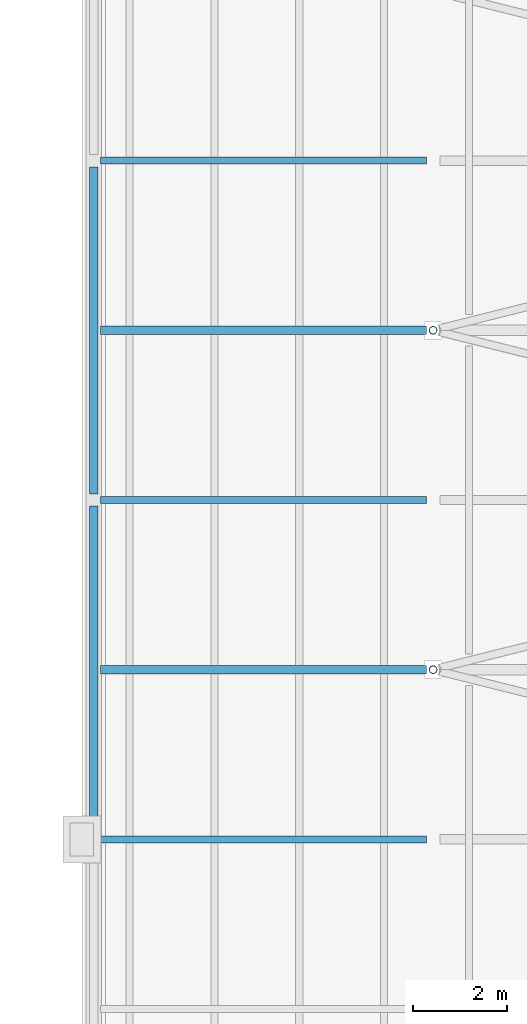
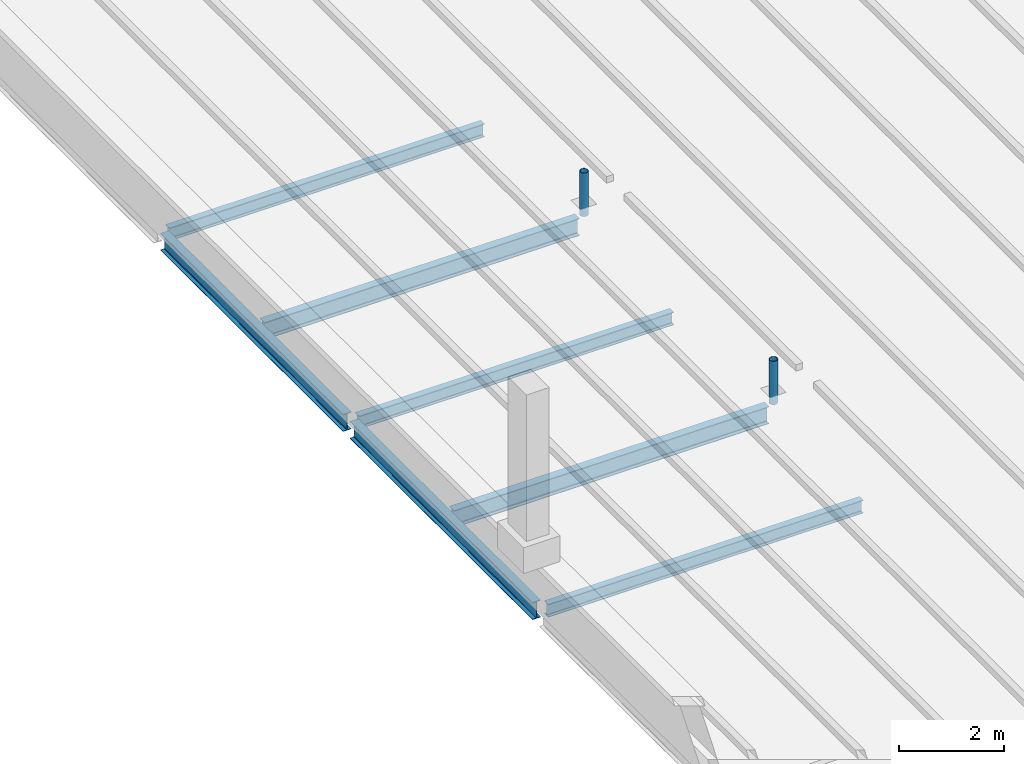
# One storey, part 19 of 120: 7 beams, 2 members.
"""IFC4 building model written with IfcOpenShell, lengths in metres."""

from ifc_helpers import new_model, si_unit, direction, frame, origin, origin_2d, place, context, subcontext, project, spatial, hollow_circle, i_section, extrude, material, material_profile, profile_set, type_object, element, save


model = new_model("IFC4")

# Units and contexts
model_context = context("Model", 3, precision=1e-05, world=origin(), true_north=direction((0.0, 1.0)))
body_context = subcontext(model_context, "Body", "Model", "MODEL_VIEW")
ifc_project = project(units=[si_unit("LENGTHUNIT", "METRE"), si_unit("AREAUNIT", "SQUARE_METRE"), si_unit("VOLUMEUNIT", "CUBIC_METRE"), si_unit("PLANEANGLEUNIT", "RADIAN"), si_unit("MASSUNIT", "GRAM", prefix="KILO")], contexts=[model_context])

# Site, building, storey
site_placement = place(None, origin())
site = spatial("IfcSite", under=ifc_project, at=site_placement, CompositionType="ELEMENT")
building_placement = place(site_placement, origin())
building = spatial("IfcBuilding", under=site, at=building_placement, Name="Kupolbacken Congress Centre", CompositionType="ELEMENT")
storey_placement = place(building_placement, frame((0.0, 0.0, 21.60009765625)))
storey = spatial("IfcBuildingStorey", under=building, at=storey_placement, Name="L06", CompositionType="ELEMENT", Elevation=21.60009765625)

# Beams
ifc_material_1 = material(Name="Steel S355", Category="steel")
ifc_material_profile_1 = material_profile(ifc_material_1, i_section(OverallWidth=0.14990234375, OverallDepth=0.300048828125, WebThickness=0.007080078125, FlangeThickness=0.0107421875, FilletRadius=0.014892578125, at=origin_2d()), Name="IPE 300")
ifc_profile_set_1 = profile_set([ifc_material_profile_1], Name="Steel S355")
beam_type_1 = type_object("IfcBeamType", Name="B04 beam IPE 300", PredefinedType="BEAM", material=ifc_profile_set_1)
for number, where, z_axis, x_axis, name in (
    (1, (86.5400390625, 72.0, -0.150146484375), (1.0, 0.0, 0.0), (0.0, 1.0, 0.0), "HR/P08-00"),
    (2, (86.5400390625, 79.199951171875, -0.150146484375), (1.0, 0.0, 0.0), (0.0, 1.0, 0.0), "HR/P10-00"),
    (3, (86.5400390625, 86.39990234375, -0.150146484375), (1.0, 0.0, 0.0), (0.0, 1.0, 0.0), "HR/P12-00"),
):
    element("IfcBeam", number, at=place(storey_placement, frame(where, z_axis=z_axis, x_axis=x_axis)), inside=storey, type_object=beam_type_1, Name=name, PredefinedType="BEAM", context=body_context, shape_type="SweptSolid", body=[
        extrude(i_section(OverallWidth=0.14990234375, OverallDepth=0.300048828125, WebThickness=0.007080078125, FlangeThickness=0.0107421875, FilletRadius=0.014892578125, at=origin_2d()), origin(), (0.0, 0.0, 1.0), 6.9150390625),
    ])
ifc_material_2 = material(Name="Steel S355", Category="steel")
ifc_material_profile_2 = material_profile(ifc_material_2, i_section(OverallWidth=0.179931640625, OverallDepth=0.39990234375, WebThickness=0.008544921875, FlangeThickness=0.013427734375, FilletRadius=0.02099609375, at=origin_2d()), Name="IPE 400")
ifc_profile_set_2 = profile_set([ifc_material_profile_2], Name="Steel S355")
beam_type_2 = type_object("IfcBeamType", Name="B07 beam IPE 400", PredefinedType="BEAM", material=ifc_profile_set_2)
beam_1_placement = place(storey_placement, frame((86.39990234375, 72.1298828125, -0.2001953125), z_axis=(0.0, 1.0, 0.0), x_axis=(-1.0, 0.0, 0.0)))
element("IfcBeam", 4, at=beam_1_placement, inside=storey, type_object=beam_type_2, Name="HR/GW05", PredefinedType="BEAM", context=body_context, shape_type="SweptSolid", body=[
    extrude(i_section(OverallWidth=0.179931640625, OverallDepth=0.39990234375, WebThickness=0.008544921875, FlangeThickness=0.013427734375, FilletRadius=0.02099609375, at=origin_2d()), origin(), (0.0, 0.0, 1.0), 6.940185546875),
])
beam_2_placement = place(storey_placement, frame((86.39990234375, 79.330078125, -0.2001953125), z_axis=(0.0, 1.0, 0.0), x_axis=(-1.0, 0.0, 0.0)))
element("IfcBeam", 5, at=beam_2_placement, inside=storey, type_object=beam_type_2, Name="HR/GW06", PredefinedType="BEAM", context=body_context, shape_type="SweptSolid", body=[
    extrude(i_section(OverallWidth=0.179931640625, OverallDepth=0.39990234375, WebThickness=0.008544921875, FlangeThickness=0.013427734375, FilletRadius=0.02099609375, at=origin_2d()), origin(), (0.0, 0.0, 1.0), 6.93994140625),
])
for number, where, z_axis, x_axis, name in (
    (6, (86.5400390625, 75.60009765625, -0.2001953125), (1.0, 0.0, 0.0), (0.0, 1.0, 0.0), "HR/X09-00"),
    (7, (86.5400390625, 82.800048828125, -0.2001953125), (1.0, 0.0, 0.0), (0.0, 1.0, 0.0), "HR/X11-00"),
):
    element("IfcBeam", number, at=place(storey_placement, frame(where, z_axis=z_axis, x_axis=x_axis)), inside=storey, type_object=beam_type_2, Name=name, PredefinedType="BEAM", context=body_context, shape_type="SweptSolid", body=[
        extrude(i_section(OverallWidth=0.179931640625, OverallDepth=0.39990234375, WebThickness=0.008544921875, FlangeThickness=0.013427734375, FilletRadius=0.02099609375, at=origin_2d()), origin(), (0.0, 0.0, 1.0), 6.9150390625),
    ])

# Members
ifc_material_3 = material(Name="Steel S355", Category="steel")
ifc_material_profile_3 = material_profile(ifc_material_3, hollow_circle(Radius=0.084228515625, WallThickness=0.008056640625, at=origin_2d()), Name="CHS 168.3 x 8")
ifc_profile_set_3 = profile_set([ifc_material_profile_3], Name="Steel S355")
member_type = type_object("IfcMemberType", Name="M20 transfer truss post CHS 168.3 x 8", PredefinedType="STRUT", material=ifc_profile_set_3)
for number, where, z_axis, x_axis, name in (
    (8, (93.60009765625, 75.60009765625, -0.010009765625), (0.0, 0.0, 1.0), (1.0, 0.0, 0.0), "Roof stay anchor post M1S.2"),
    (9, (93.60009765625, 82.800048828125, -0.010009765625), (0.0, 0.0, 1.0), (1.0, 0.0, 0.0), "Roof stay anchor post M1N.2"),
):
    element("IfcMember", number, at=place(storey_placement, frame(where, z_axis=z_axis, x_axis=x_axis)), inside=storey, type_object=member_type, Name=name, PredefinedType="STRUT", context=body_context, shape_type="SweptSolid", body=[
        extrude(hollow_circle(Radius=0.084228515625, WallThickness=0.008056640625, at=origin_2d()), origin(), (0.0, 0.0, 1.0), 1.010009765625),
    ])

save(model, "model.ifc")
